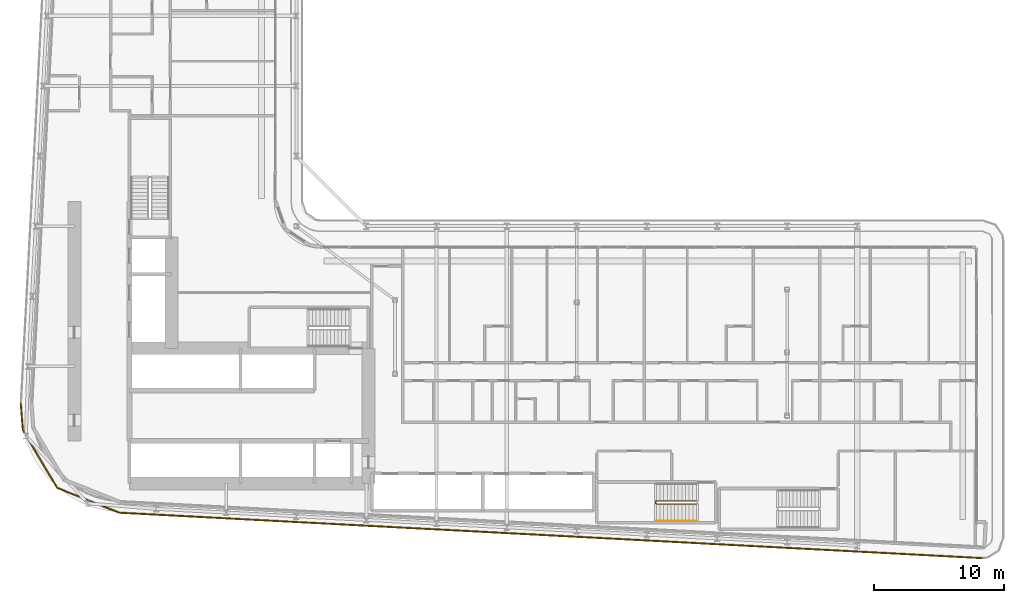
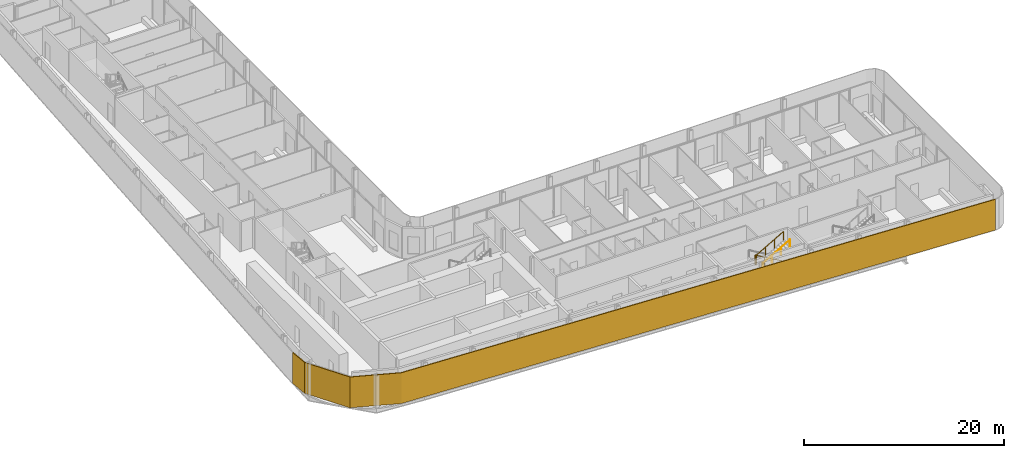
# One storey, part 25 of 29: 2 railings, 1 shading device.
"""IFC4 building model written with IfcOpenShell, lengths in metres."""

import ifcopenshell
import ifcopenshell.guid

model = None  # the IFC model being written
_history = None  # IfcOwnerHistory: only IFC2X3 demands one
_inside = {}  # id of a spatial element -> (the spatial element, [elements in it])
_under = {}  # id of a project, library or spatial element -> (it, [spatial elements below it])
_declared = {}  # id of a project -> (the project, [libraries it declares])
_typed = {}  # id of a type object -> (the type object, [elements of that type])
_made_of = {}  # id of a material, layer set ... -> (it, [elements and type objects made of it])


def new_model(schema):
    """Start an empty IFC model of exactly this schema.

    Asked for "IFC4X3", IfcOpenShell would pick the latest addendum, in which some entities
    have other attributes; the version numbers below select the first issue.
    IFC2X3 requires an IfcOwnerHistory on every rooted entity: one is made here for all.
    """
    global model, _history
    if schema == "IFC4X3":
        model = ifcopenshell.file(schema_version=(4, 3, 0, 0))
    else:
        model = ifcopenshell.file(schema=schema)
    _inside.clear()
    _under.clear()
    _declared.clear()
    _typed.clear()
    _made_of.clear()
    _history = None
    if model.schema == "IFC2X3":
        org = make("IfcOrganization", Name="unknown")
        user = make(
            "IfcPersonAndOrganization",
            ThePerson=make("IfcPerson", FamilyName="unknown"),
            TheOrganization=org,
        )
        app = make(
            "IfcApplication",
            ApplicationDeveloper=org,
            Version="unknown",
            ApplicationFullName="unknown",
            ApplicationIdentifier="unknown",
        )
        _history = make(
            "IfcOwnerHistory",
            OwningUser=user,
            OwningApplication=app,
            ChangeAction="ADDED",
            CreationDate=0,
        )
    return model


def make(cls, **values):
    """One entity of the class cls with the attributes given. An attribute that is None is left unset."""
    return model.create_entity(
        cls, **{name: value for name, value in values.items() if value is not None}
    )


def rooted(cls, **values):
    """An entity with a GlobalId (a new one), such as an element, a storey or a relation."""
    return make(cls, GlobalId=ifcopenshell.guid.new(), OwnerHistory=_history, **values)


def si_unit(unit_type, name, prefix=None):
    """IfcSIUnit, for example si_unit("LENGTHUNIT", "METRE", prefix="MILLI")."""
    return make("IfcSIUnit", UnitType=unit_type, Prefix=prefix, Name=name)


def assignment(units):
    """IfcUnitAssignment: the units of a project."""
    return None if units is None else make("IfcUnitAssignment", Units=units)


def point(xyz):
    """IfcCartesianPoint."""
    return None if xyz is None else make("IfcCartesianPoint", Coordinates=xyz)


def direction(xyz):
    """IfcDirection."""
    return None if xyz is None else make("IfcDirection", DirectionRatios=xyz)


def frame(location, z_axis=None, x_axis=None):
    """IfcAxis2Placement3D, a coordinate frame: its origin and axes. An axis left out is left unset."""
    return make(
        "IfcAxis2Placement3D",
        Location=point(location),
        Axis=direction(z_axis),
        RefDirection=direction(x_axis),
    )


def frame_2d(location, x_axis=None):
    """IfcAxis2Placement2D, a coordinate frame in the plane: its origin and x axis."""
    return make(
        "IfcAxis2Placement2D", Location=point(location), RefDirection=direction(x_axis)
    )


def origin():
    """The frame at (0, 0, 0) with its axes left unset."""
    return frame((0.0, 0.0, 0.0))


def origin_2d():
    """The frame at (0, 0) in the plane with its x axis left unset."""
    return frame_2d((0.0, 0.0))


def place(relative_to, where):
    """IfcLocalPlacement: puts the frame where relative to a parent placement (None: the world)."""
    return make(
        "IfcLocalPlacement", PlacementRelTo=relative_to, RelativePlacement=where
    )


def context(
    kind, dimensions, precision=None, world=None, true_north=None, identifier=None
):
    """IfcGeometricRepresentationContext, for example the 3D "Model" context."""
    return make(
        "IfcGeometricRepresentationContext",
        ContextIdentifier=identifier,
        ContextType=kind,
        CoordinateSpaceDimension=dimensions,
        Precision=precision,
        WorldCoordinateSystem=world,
        TrueNorth=true_north,
    )


def subcontext(parent, identifier, kind, view, scale=None):
    """IfcGeometricRepresentationSubContext, for example "Body" below "Model"."""
    return make(
        "IfcGeometricRepresentationSubContext",
        ContextIdentifier=identifier,
        ContextType=kind,
        ParentContext=parent,
        TargetScale=scale,
        TargetView=view,
    )


def project(units=None, contexts=None):
    """IfcProject with its units and contexts."""
    return rooted(
        "IfcProject",
        Name="project",
        RepresentationContexts=contexts,
        UnitsInContext=assignment(units),
    )


def spatial(cls, under=None, at=None, **own):
    """A site, building, storey or space (cls), placed at a placement, below another one or the project."""
    s = rooted(cls, ObjectPlacement=at, **own)
    if under is not None:
        _under.setdefault(under.id(), (under, []))[1].append(s)
    return s


def polyline(points):
    """IfcPolyline through the points."""
    return make("IfcPolyline", Points=[point(p) for p in points])


def profile(cls, at=None, kind="AREA", **sizes):
    """A parametric profile (cls). Its sizes go by their IFC names, for example OverallWidth=200.0."""
    return make(cls, ProfileType=kind, Position=at, **sizes)


def circle(**sizes):
    """IfcCircleProfileDef."""
    return profile("IfcCircleProfileDef", **sizes)


def outline(outer, holes=None, kind="AREA"):
    """IfcArbitraryClosedProfileDef: a profile drawn as a closed curve; with holes, ...WithVoids."""
    if holes is None:
        return make("IfcArbitraryClosedProfileDef", ProfileType=kind, OuterCurve=outer)
    return make(
        "IfcArbitraryProfileDefWithVoids",
        ProfileType=kind,
        OuterCurve=outer,
        InnerCurves=holes,
    )


def extrude(swept, where, along, depth):
    """IfcExtrudedAreaSolid: the profile swept, set in the frame where, extruded along a direction by depth."""
    return make(
        "IfcExtrudedAreaSolid",
        SweptArea=swept,
        Position=where,
        ExtrudedDirection=direction(along),
        Depth=depth,
    )


def shape(context_of_items, identifier, shape_type, items):
    """IfcShapeRepresentation: the items that make up one representation, for example the "Body"."""
    return make(
        "IfcShapeRepresentation",
        ContextOfItems=context_of_items,
        RepresentationIdentifier=identifier,
        RepresentationType=shape_type,
        Items=items,
    )


def material(Name=None, Category=None):
    """IfcMaterial."""
    return make("IfcMaterial", Name=Name, Category=Category)


def layer(
    of_material, thickness, ventilated=None, Name=None, Category=None, Priority=None
):
    """IfcMaterialLayer: one layer of a wall or slab, of a material (None: an air gap)."""
    return make(
        "IfcMaterialLayer",
        Material=of_material,
        LayerThickness=thickness,
        IsVentilated=ventilated,
        Name=Name,
        Category=Category,
        Priority=Priority,
    )


def layer_set(layers, Name=None):
    """IfcMaterialLayerSet."""
    return make("IfcMaterialLayerSet", MaterialLayers=layers, LayerSetName=Name)


def made_of(thing, what):
    """Note that an element or type object is made of a material, layer set ...; save() writes the relation."""
    if what is not None:
        _made_of.setdefault(what.id(), (what, []))[1].append(thing)
    return thing


def type_object(cls, material=None, **own):
    """A type object (cls), such as IfcWallType, which elements share."""
    return made_of(rooted(cls, **own), material)


def element(
    cls,
    number,
    at=None,
    inside=None,
    cuts=None,
    type_object=None,
    material=None,
    context=None,
    identifier="Body",
    shape_type=None,
    held_by="IfcProductDefinitionShape",
    body=None,
    shapes=None,
    **own,
):
    """One element of the class cls, such as IfcWall. Its Tag is "e" and its number.

    at: its placement. inside: the storey or other place that contains it. cuts: it is an
    opening in that element (IfcRelVoidsElement). A single representation is given by context,
    identifier, shape_type and body (its items); several are given by shapes. held_by: the class
    of the entity that holds the representations. save() writes the other relations.
    """
    e = rooted(cls, Tag="e%d" % number, ObjectPlacement=at, **own)
    if body is not None:
        shapes = [shape(context, identifier, shape_type, body)]
    if shapes is not None:
        e.Representation = make(held_by, Representations=shapes)
    if inside is not None:
        _inside.setdefault(inside.id(), (inside, []))[1].append(e)
    if cuts is not None:
        rooted(
            "IfcRelVoidsElement", RelatingBuildingElement=cuts, RelatedOpeningElement=e
        )
    if type_object is not None:
        _typed.setdefault(type_object.id(), (type_object, []))[1].append(e)
    return made_of(e, material)


def aggregate(whole, parts):
    """IfcRelAggregates: a whole, such as a stair, and the parts it consists of."""
    return rooted("IfcRelAggregates", RelatingObject=whole, RelatedObjects=parts)


def save(model, path):
    """Write the relations noted so far, then the file.

    IfcRelAggregates (storeys below a building ...), IfcRelContainedInSpatialStructure (elements
    in a storey), IfcRelDefinesByType, IfcRelAssociatesMaterial and IfcRelDeclares: one each for
    every whole, place, type object, material and project.
    """
    for whole, parts in _under.values():
        aggregate(whole, parts)
    for where, things in _inside.values():
        rooted(
            "IfcRelContainedInSpatialStructure",
            RelatedElements=things,
            RelatingStructure=where,
        )
    for kind, things in _typed.values():
        rooted("IfcRelDefinesByType", RelatedObjects=things, RelatingType=kind)
    for what, things in _made_of.values():
        rooted("IfcRelAssociatesMaterial", RelatedObjects=things, RelatingMaterial=what)
    for by, libraries in _declared.values():
        rooted("IfcRelDeclares", RelatingContext=by, RelatedDefinitions=libraries)
    model.write(path)


model = new_model("IFC4")

# Units and contexts
model_context = context("Model", 3, precision=1e-05, world=origin(), true_north=direction((0.0, 1.0)))
body_context = subcontext(model_context, "Body", "Model", "MODEL_VIEW")
ifc_project = project(units=[si_unit("LENGTHUNIT", "METRE"), si_unit("AREAUNIT", "SQUARE_METRE"), si_unit("VOLUMEUNIT", "CUBIC_METRE"), si_unit("PLANEANGLEUNIT", "RADIAN"), si_unit("MASSUNIT", "GRAM", prefix="KILO")], contexts=[model_context])

# Site, building, storey
site_placement = place(None, origin())
site = spatial("IfcSite", under=ifc_project, at=site_placement, CompositionType="ELEMENT")
building_placement = place(site_placement, origin())
building = spatial("IfcBuilding", under=site, at=building_placement, Name="Kheshtan School and Residences Tower", CompositionType="ELEMENT")
storey_placement = place(building_placement, frame((0.0, 0.0, 69.5)))
storey = spatial("IfcBuildingStorey", under=building, at=storey_placement, Name="L16", CompositionType="ELEMENT", Elevation=69.5)

# Shading device
ifc_material_1 = material(Name="Terracotta baguette, extruded ceramic", Category="masonry")
ifc_layer = layer(ifc_material_1, 0.10009765625)
ifc_layer_set = layer_set([ifc_layer], Name="Ledge screen, terracotta baguettes")
shading_device_type = type_object("IfcShadingDeviceType", Name="Ledge screen, terracotta baguettes", PredefinedType="USERDEFINED", material=ifc_layer_set)
shading_device_placement = place(storey_placement, origin())
element("IfcShadingDevice", 1, at=shading_device_placement, inside=storey, type_object=shading_device_type, Name="Screen L16 3", ObjectType="BAGUETTE", PredefinedType="USERDEFINED", context=body_context, shape_type="SweptSolid", body=[
    extrude(outline(polyline([(100.4208984375, 20.0830078125), (33.989013671875, 23.580078125), (29.2119140625, 25.486083984375), (26.583984375, 29.906982421875), (26.419921875, 31.989013671875), (26.320068359375, 31.98095703125), (26.486083984375, 29.8759765625), (29.14306640625, 25.406005859375), (33.967041015625, 23.48095703125), (100.416015625, 19.98291015625), (100.4208984375, 20.0830078125)])), origin(), (0.0, 0.0, 1.0), 3.75),
])

# Railings
ifc_material_2 = material(Name="Stainless steel balustrade", Category="steel")
railing_type_1 = type_object("IfcRailingType", Name="Stair guard 1100", PredefinedType="GUARDRAIL", material=ifc_material_2)
railing_1_placement = place(storey_placement, frame((78.409912109375, 24.449951171875, 0.16259765625)))
element("IfcRailing", 2, at=railing_1_placement, inside=storey, type_object=railing_type_1, Name="L16 ST5 stair guard 1", PredefinedType="GUARDRAIL", context=body_context, shape_type="SweptSolid", body=[
    extrude(circle(Radius=0.02392578125, at=origin_2d()), frame((0.0, 0.0, 1.076171875), z_axis=(-0.864903211148, 0.0, 0.501938676878), x_axis=(0.0, -1.0, 0.0)), (0.0, 0.0, 1.0), 3.560791015625),
    extrude(circle(Radius=0.02392578125, at=origin_2d()), frame((-3.079833984375, 0.0, 2.86328125), z_axis=(-0.707106781187, -0.707106781187, 0.0), x_axis=(0.707106781187, -0.707106781187, 0.0)), (0.0, 0.0, 1.0), 0.07080078125),
    extrude(circle(Radius=0.02392578125, at=origin_2d()), frame((-3.1298828125, -0.050048828125, 2.86328125), z_axis=(0.0, -1.0, 0.0), x_axis=(1.0, 0.0, 0.0)), (0.0, 0.0, 1.0), 0.14990234375),
    extrude(circle(Radius=0.02392578125, at=origin_2d()), frame((-3.1298828125, -0.199951171875, 2.86328125), z_axis=(0.282227285176, -0.282227285176, 0.916894497205), x_axis=(0.707106781187, 0.707106781187, 0.0)), (0.0, 0.0, 1.0), 0.17724609375),
    extrude(circle(Radius=0.02392578125, at=origin_2d()), frame((-3.079833984375, -0.25, 3.02587890625), z_axis=(0.864903211148, 0.0, 0.501938676878), x_axis=(0.0, 1.0, 0.0)), (0.0, 0.0, 1.0), 3.560791015625),
    extrude(circle(Radius=0.02099609375, at=origin_2d()), origin(), (0.0, 0.0, 1.0), 1.052001953125),
    extrude(circle(Radius=0.02099609375, at=origin_2d()), frame((-1.026611328125, 0.0, 0.595703125)), (0.0, 0.0, 1.0), 1.052001953125),
    extrude(circle(Radius=0.02099609375, at=origin_2d()), frame((-2.05322265625, 0.0, 1.191650390625)), (0.0, 0.0, 1.0), 1.052001953125),
    extrude(circle(Radius=0.02099609375, at=origin_2d()), frame((-3.079833984375, 0.0, 1.787353515625)), (0.0, 0.0, 1.0), 1.052001953125),
    extrude(circle(Radius=0.02099609375, at=origin_2d()), frame((-3.1298828125, -0.050048828125, 1.787353515625)), (0.0, 0.0, 1.0), 1.052001953125),
    extrude(circle(Radius=0.02099609375, at=origin_2d()), frame((-3.1298828125, -0.199951171875, 1.787353515625)), (0.0, 0.0, 1.0), 1.052001953125),
    extrude(circle(Radius=0.02099609375, at=origin_2d()), frame((-3.079833984375, -0.25, 1.949951171875)), (0.0, 0.0, 1.0), 1.052001953125),
    extrude(circle(Radius=0.02099609375, at=origin_2d()), frame((-2.05322265625, -0.25, 2.545654296875)), (0.0, 0.0, 1.0), 1.052001953125),
    extrude(circle(Radius=0.02099609375, at=origin_2d()), frame((-1.026611328125, -0.25, 3.1416015625)), (0.0, 0.0, 1.0), 1.052001953125),
    extrude(circle(Radius=0.02099609375, at=origin_2d()), frame((0.0, -0.25, 3.7373046875)), (0.0, 0.0, 1.0), 1.052001953125),
])
ifc_material_3 = material(Name="Stainless steel handrail", Category="steel")
railing_type_2 = type_object("IfcRailingType", Name="Stair handrail 900", PredefinedType="HANDRAIL", material=ifc_material_3)
railing_2_placement = place(storey_placement, frame((75.330078125, 22.89990234375, 2.112548828125)))
element("IfcRailing", 3, at=railing_2_placement, inside=storey, type_object=railing_type_2, Name="L16 ST5 stair handrail 2", PredefinedType="HANDRAIL", context=body_context, shape_type="SweptSolid", body=[
    extrude(circle(Radius=0.02392578125, at=origin_2d()), frame((0.0, 0.0, 0.8759765625), z_axis=(0.864903211148, 0.0, 0.501938676878), x_axis=(0.0, 1.0, 0.0)), (0.0, 0.0, 1.0), 3.560791015625),
    extrude(circle(Radius=0.02099609375, at=origin_2d()), origin(), (0.0, 0.0, 1.0), 0.851806640625),
    extrude(circle(Radius=0.02099609375, at=origin_2d()), frame((1.026611328125, 0.0, 0.595703125)), (0.0, 0.0, 1.0), 0.851806640625),
    extrude(circle(Radius=0.02099609375, at=origin_2d()), frame((2.05322265625, 0.0, 1.191650390625)), (0.0, 0.0, 1.0), 0.851806640625),
    extrude(circle(Radius=0.02099609375, at=origin_2d()), frame((3.079833984375, 0.0, 1.787353515625)), (0.0, 0.0, 1.0), 0.851806640625),
])

save(model, "model.ifc")
